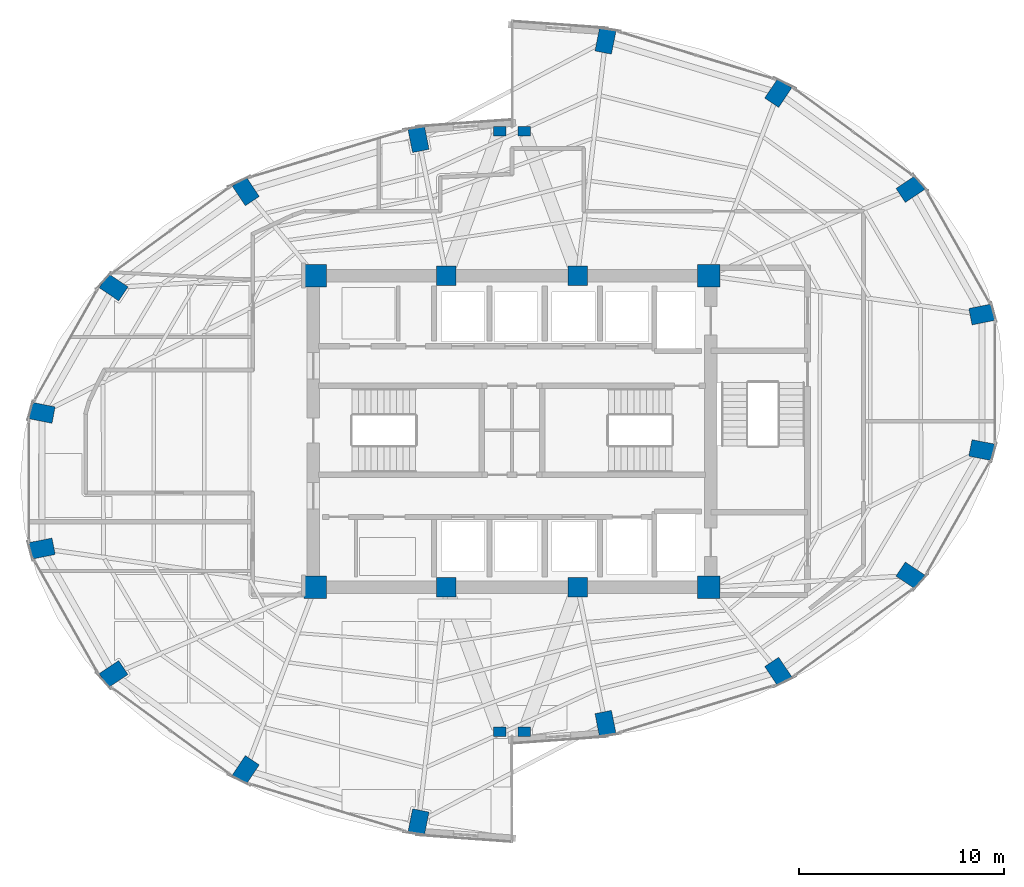
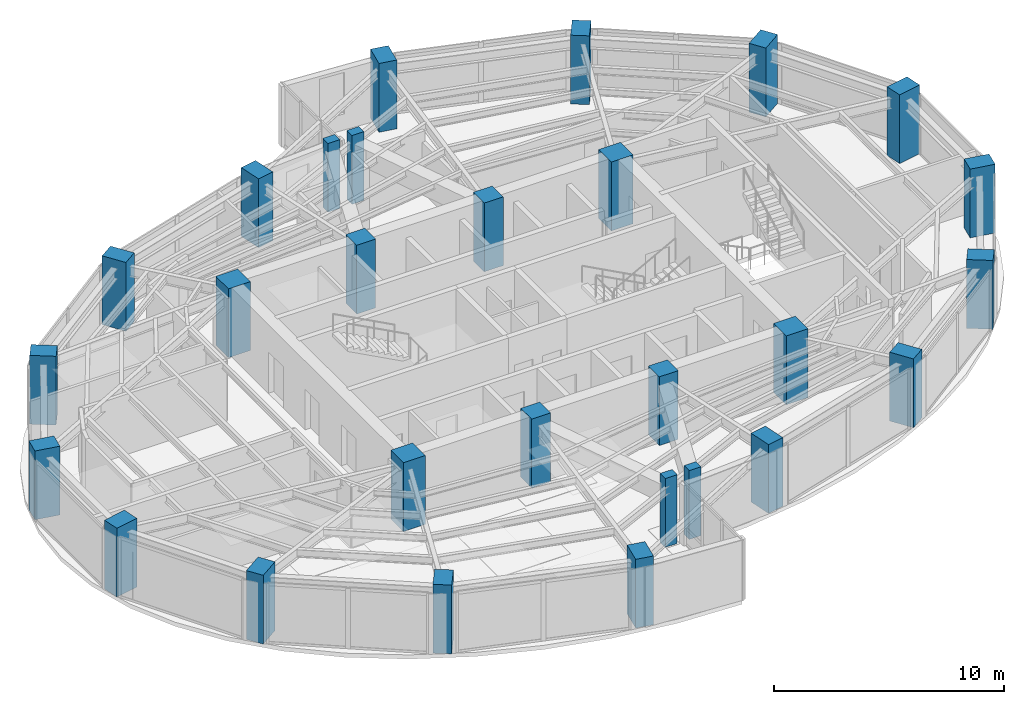
# One storey, part 1 of 20: 28 columns.
"""IFC4 building model written with IfcOpenShell, lengths in metres."""

from ifc_helpers import new_model, si_unit, direction, frame, origin, origin_2d, place, context, subcontext, project, spatial, rectangle, extrude, material, material_profile, profile_set, type_object, element, save


model = new_model("IFC4")

# Units and contexts
model_context = context("Model", 3, precision=1e-05, world=origin(), true_north=direction((0.0, 1.0)))
body_context = subcontext(model_context, "Body", "Model", "MODEL_VIEW")
ifc_project = project(units=[si_unit("LENGTHUNIT", "METRE"), si_unit("AREAUNIT", "SQUARE_METRE"), si_unit("VOLUMEUNIT", "CUBIC_METRE"), si_unit("PLANEANGLEUNIT", "RADIAN"), si_unit("MASSUNIT", "GRAM", prefix="KILO")], contexts=[model_context])

# Site, building, storey
site_placement = place(None, origin())
site = spatial("IfcSite", under=ifc_project, at=site_placement, CompositionType="ELEMENT")
building_placement = place(site_placement, origin())
building = spatial("IfcBuilding", under=site, at=building_placement, Name="Lazwardi Medical Tower", CompositionType="ELEMENT")
storey_placement = place(building_placement, frame((0.0, 0.0, 185.7119140625)))
storey = spatial("IfcBuildingStorey", under=building, at=storey_placement, Name="L48", CompositionType="ELEMENT", Elevation=185.7119140625)

# Columns
ifc_material_1 = material(Name="Concrete C80/95", Category="concrete")
ifc_material_profile_1 = material_profile(ifc_material_1, rectangle(XDim=1.10009765625, YDim=1.10009765625, at=origin_2d()), Name="RC 1100x1100")
ifc_profile_set_1 = profile_set([ifc_material_profile_1], Name="Concrete C80/95")
column_type_1 = type_object("IfcColumnType", Name="COL-CC-L", PredefinedType="COLUMN", material=ifc_profile_set_1)
for number, where, z_axis, x_axis, name in (
    (1, (26.39990234375, 20.39990234375, 0.0), (0.0, 0.0, 1.0), (1.0, 0.0, 0.0), "Core column CC-01 CC1 L48"),
    (2, (45.60009765625, 20.39990234375, 0.0), (0.0, 0.0, 1.0), (1.0, 0.0, 0.0), "Core column CC-01 CC4 L48"),
    (3, (45.60009765625, 35.60009765625, 0.0), (0.0, 0.0, 1.0), (1.0, 0.0, 0.0), "Core column CC-01 CC5 L48"),
    (4, (26.39990234375, 35.60009765625, 0.0), (0.0, 0.0, 1.0), (1.0, 0.0, 0.0), "Core column CC-01 CC8 L48"),
):
    element("IfcColumn", number, at=place(storey_placement, frame(where, z_axis=z_axis, x_axis=x_axis)), inside=storey, type_object=column_type_1, Name=name, PredefinedType="COLUMN", context=body_context, shape_type="SweptSolid", body=[
        extrude(rectangle(XDim=1.10009765625, YDim=1.10009765625, at=origin_2d()), origin(), (0.0, 0.0, 1.0), 3.648193359375),
    ])
ifc_material_2 = material(Name="Concrete C70/85", Category="concrete")
ifc_material_profile_2 = material_profile(ifc_material_2, rectangle(XDim=0.949951171875, YDim=0.949951171875, at=origin_2d()), Name="RC 950x950")
ifc_profile_set_2 = profile_set([ifc_material_profile_2], Name="Concrete C70/85")
column_type_2 = type_object("IfcColumnType", Name="COL-CC-M", PredefinedType="COLUMN", material=ifc_profile_set_2)
for number, where, z_axis, x_axis, name in (
    (5, (32.800048828125, 20.39990234375, 0.0), (0.0, 0.0, 1.0), (1.0, 0.0, 0.0), "Core column CC-02 CC2 L48"),
    (6, (39.199951171875, 20.39990234375, 0.0), (0.0, 0.0, 1.0), (1.0, 0.0, 0.0), "Core column CC-02 CC3 L48"),
    (7, (39.199951171875, 35.60009765625, 0.0), (0.0, 0.0, 1.0), (1.0, 0.0, 0.0), "Core column CC-02 CC6 L48"),
    (8, (32.800048828125, 35.60009765625, 0.0), (0.0, 0.0, 1.0), (1.0, 0.0, 0.0), "Core column CC-02 CC7 L48"),
):
    element("IfcColumn", number, at=place(storey_placement, frame(where, z_axis=z_axis, x_axis=x_axis)), inside=storey, type_object=column_type_2, Name=name, PredefinedType="COLUMN", context=body_context, shape_type="SweptSolid", body=[
        extrude(rectangle(XDim=0.949951171875, YDim=0.949951171875, at=origin_2d()), origin(), (0.0, 0.0, 1.0), 3.648193359375),
    ])
ifc_material_3 = material(Name="Concrete C60/75", Category="concrete")
ifc_material_profile_3 = material_profile(ifc_material_3, rectangle(XDim=1.14990234375, YDim=0.820068359375, at=origin_2d()), Name="CFT-RECT 1150x820")
ifc_profile_set_3 = profile_set([ifc_material_profile_3], Name="Concrete C60/75")
column_type_3 = type_object("IfcColumnType", Name="COL-MC-Z3", PredefinedType="COLUMN", material=ifc_profile_set_3)
for number, where, z_axis, x_axis, name in (
    (9, (40.560302734375, 13.751220703125, 0.0), (0.0, 0.0, 1.0), (0.195090322016, -0.980785280403, 0.0), "Mega column MC-05 M01 L48"),
    (10, (48.986572265625, 16.285888671875, 0.0), (0.0, 0.0, 1.0), (0.55557023302, -0.831469612303, 0.0), "Mega column MC-05 M02 L48"),
    (11, (55.435546875, 20.96923828125, 0.0), (0.0, 0.0, 1.0), (0.831469612303, -0.55557023302, 0.0), "Mega column MC-05 M03 L48"),
    (12, (58.92578125, 27.08837890625, 0.0), (0.0, 0.0, 1.0), (0.980785280403, -0.195090322016, 0.0), "Mega column MC-05 M04 L48"),
    (13, (58.92578125, 33.711669921875, 0.0), (0.0, 0.0, 1.0), (0.980785280403, 0.195090322016, 0.0), "Mega column MC-05 M05 L48"),
    (14, (55.435546875, 39.830810546875, 0.0), (0.0, 0.0, 1.0), (0.831469612303, 0.55557023302, 0.0), "Mega column MC-05 M06 L48"),
    (15, (48.986572265625, 44.51416015625, 0.0), (0.0, 0.0, 1.0), (0.55557023302, 0.831469612303, 0.0), "Mega column MC-05 M07 L48"),
    (16, (40.560302734375, 47.048828125, 0.0), (0.0, 0.0, 1.0), (0.195090322016, 0.980785280403, 0.0), "Mega column MC-05 M08 L48"),
    (17, (31.439697265625, 42.248779296875, 0.0), (0.0, 0.0, 1.0), (-0.195090322016, 0.980785280403, 0.0), "Mega column MC-05 M09 L48"),
    (18, (23.013427734375, 39.714111328125, 0.0), (0.0, 0.0, 1.0), (-0.55557023302, 0.831469612303, 0.0), "Mega column MC-05 M10 L48"),
    (19, (16.564453125, 35.03076171875, 0.0), (0.0, 0.0, 1.0), (-0.831469612303, 0.55557023302, 0.0), "Mega column MC-05 M11 L48"),
    (20, (13.07421875, 28.91162109375, 0.0), (0.0, 0.0, 1.0), (-0.980785280403, 0.195090322016, 0.0), "Mega column MC-05 M12 L48"),
    (21, (13.07421875, 22.288330078125, 0.0), (0.0, 0.0, 1.0), (-0.980785280403, -0.195090322016, 0.0), "Mega column MC-05 M13 L48"),
    (22, (16.564453125, 16.169189453125, 0.0), (0.0, 0.0, 1.0), (-0.831469612303, -0.55557023302, 0.0), "Mega column MC-05 M14 L48"),
    (23, (23.013427734375, 11.48583984375, 0.0), (0.0, 0.0, 1.0), (-0.55557023302, -0.831469612303, 0.0), "Mega column MC-05 M15 L48"),
    (24, (31.439697265625, 8.951171875, 0.0), (0.0, 0.0, 1.0), (-0.195090322016, -0.980785280403, 0.0), "Mega column MC-05 M16 L48"),
):
    element("IfcColumn", number, at=place(storey_placement, frame(where, z_axis=z_axis, x_axis=x_axis)), inside=storey, type_object=column_type_3, Name=name, PredefinedType="COLUMN", context=body_context, shape_type="SweptSolid", body=[
        extrude(rectangle(XDim=1.14990234375, YDim=0.820068359375, at=origin_2d()), origin(), (0.0, 0.0, 1.0), 3.648193359375),
    ])
ifc_material_profile_4 = material_profile(ifc_material_3, rectangle(XDim=0.60009765625, YDim=0.449951171875, at=origin_2d()), Name="RC 600x450")
ifc_profile_set_4 = profile_set([ifc_material_profile_4], Name="Concrete C60/75")
column_type_4 = type_object("IfcColumnType", Name="COL-PL-IW", PredefinedType="PILASTER", material=ifc_profile_set_4)
for number, where, z_axis, x_axis, name in (
    (25, (35.39990234375, 42.64990234375, 0.0), (0.0, 0.0, 1.0), (1.0, 0.0, 0.0), "Iwan pilaster column PL-C1 PL1 L48"),
    (26, (36.60009765625, 42.64990234375, 0.0), (0.0, 0.0, 1.0), (1.0, 0.0, 0.0), "Iwan pilaster column PL-C1 PL2 L48"),
    (27, (35.39990234375, 13.35009765625, 0.0), (0.0, 0.0, 1.0), (1.0, 0.0, 0.0), "Iwan pilaster column PL-C1 PL3 L48"),
    (28, (36.60009765625, 13.35009765625, 0.0), (0.0, 0.0, 1.0), (1.0, 0.0, 0.0), "Iwan pilaster column PL-C1 PL4 L48"),
):
    element("IfcColumn", number, at=place(storey_placement, frame(where, z_axis=z_axis, x_axis=x_axis)), inside=storey, type_object=column_type_4, Name=name, PredefinedType="PILASTER", context=body_context, shape_type="SweptSolid", body=[
        extrude(rectangle(XDim=0.60009765625, YDim=0.449951171875, at=origin_2d()), origin(), (0.0, 0.0, 1.0), 3.648193359375),
    ])

save(model, "model.ifc")
